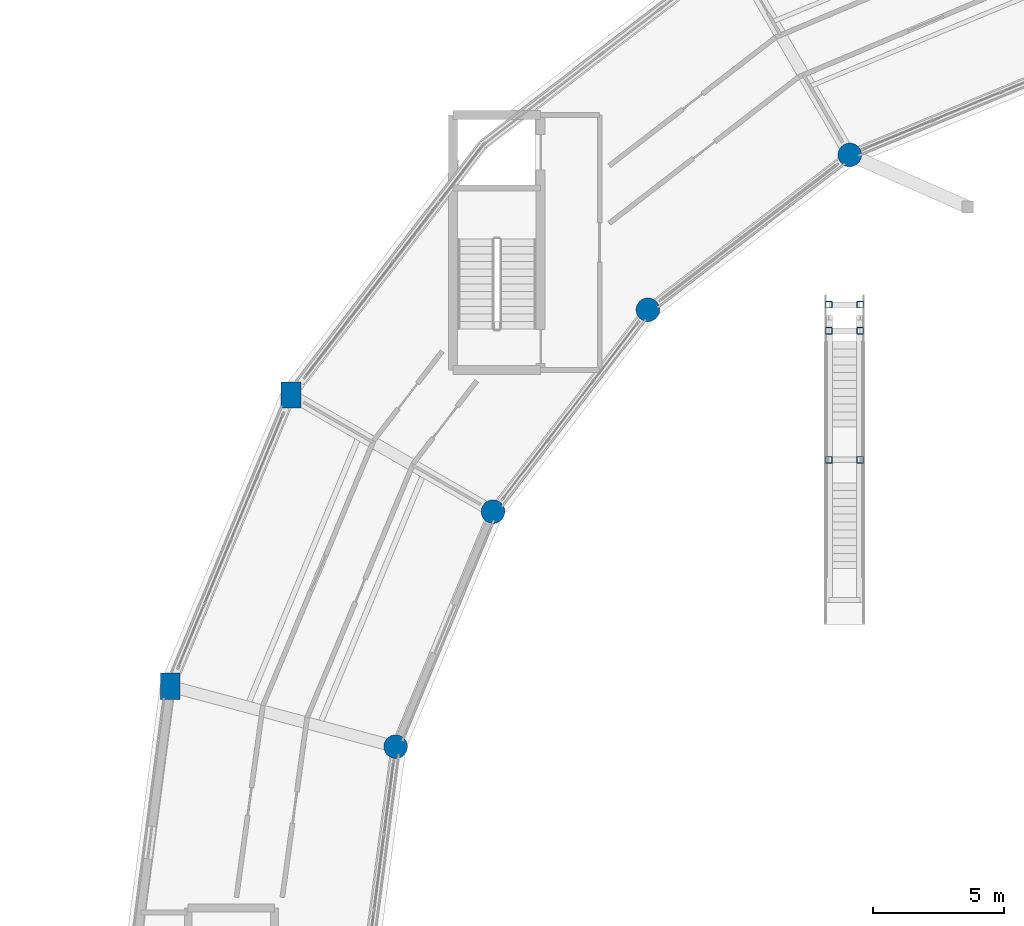
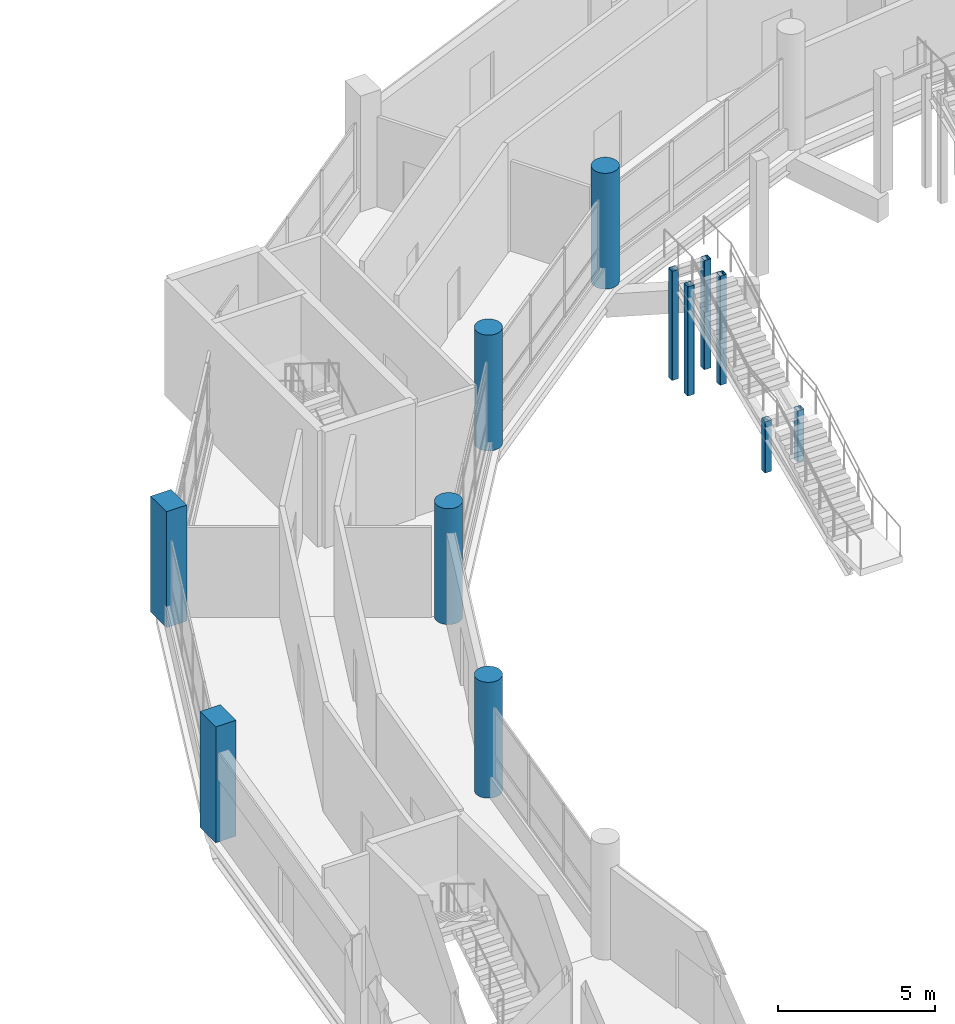
# One storey, part 8 of 129: 12 columns.
"""IFC4 building model written with IfcOpenShell, lengths in metres."""

import ifcopenshell
import ifcopenshell.guid

model = None  # the IFC model being written
_history = None  # IfcOwnerHistory: only IFC2X3 demands one
_inside = {}  # id of a spatial element -> (the spatial element, [elements in it])
_under = {}  # id of a project, library or spatial element -> (it, [spatial elements below it])
_declared = {}  # id of a project -> (the project, [libraries it declares])
_typed = {}  # id of a type object -> (the type object, [elements of that type])
_made_of = {}  # id of a material, layer set ... -> (it, [elements and type objects made of it])


def new_model(schema):
    """Start an empty IFC model of exactly this schema.

    Asked for "IFC4X3", IfcOpenShell would pick the latest addendum, in which some entities
    have other attributes; the version numbers below select the first issue.
    IFC2X3 requires an IfcOwnerHistory on every rooted entity: one is made here for all.
    """
    global model, _history
    if schema == "IFC4X3":
        model = ifcopenshell.file(schema_version=(4, 3, 0, 0))
    else:
        model = ifcopenshell.file(schema=schema)
    _inside.clear()
    _under.clear()
    _declared.clear()
    _typed.clear()
    _made_of.clear()
    _history = None
    if model.schema == "IFC2X3":
        org = make("IfcOrganization", Name="unknown")
        user = make(
            "IfcPersonAndOrganization",
            ThePerson=make("IfcPerson", FamilyName="unknown"),
            TheOrganization=org,
        )
        app = make(
            "IfcApplication",
            ApplicationDeveloper=org,
            Version="unknown",
            ApplicationFullName="unknown",
            ApplicationIdentifier="unknown",
        )
        _history = make(
            "IfcOwnerHistory",
            OwningUser=user,
            OwningApplication=app,
            ChangeAction="ADDED",
            CreationDate=0,
        )
    return model


def make(cls, **values):
    """One entity of the class cls with the attributes given. An attribute that is None is left unset."""
    return model.create_entity(
        cls, **{name: value for name, value in values.items() if value is not None}
    )


def rooted(cls, **values):
    """An entity with a GlobalId (a new one), such as an element, a storey or a relation."""
    return make(cls, GlobalId=ifcopenshell.guid.new(), OwnerHistory=_history, **values)


def si_unit(unit_type, name, prefix=None):
    """IfcSIUnit, for example si_unit("LENGTHUNIT", "METRE", prefix="MILLI")."""
    return make("IfcSIUnit", UnitType=unit_type, Prefix=prefix, Name=name)


def assignment(units):
    """IfcUnitAssignment: the units of a project."""
    return None if units is None else make("IfcUnitAssignment", Units=units)


def point(xyz):
    """IfcCartesianPoint."""
    return None if xyz is None else make("IfcCartesianPoint", Coordinates=xyz)


def direction(xyz):
    """IfcDirection."""
    return None if xyz is None else make("IfcDirection", DirectionRatios=xyz)


def frame(location, z_axis=None, x_axis=None):
    """IfcAxis2Placement3D, a coordinate frame: its origin and axes. An axis left out is left unset."""
    return make(
        "IfcAxis2Placement3D",
        Location=point(location),
        Axis=direction(z_axis),
        RefDirection=direction(x_axis),
    )


def frame_2d(location, x_axis=None):
    """IfcAxis2Placement2D, a coordinate frame in the plane: its origin and x axis."""
    return make(
        "IfcAxis2Placement2D", Location=point(location), RefDirection=direction(x_axis)
    )


def origin():
    """The frame at (0, 0, 0) with its axes left unset."""
    return frame((0.0, 0.0, 0.0))


def origin_2d():
    """The frame at (0, 0) in the plane with its x axis left unset."""
    return frame_2d((0.0, 0.0))


def place(relative_to, where):
    """IfcLocalPlacement: puts the frame where relative to a parent placement (None: the world)."""
    return make(
        "IfcLocalPlacement", PlacementRelTo=relative_to, RelativePlacement=where
    )


def context(
    kind, dimensions, precision=None, world=None, true_north=None, identifier=None
):
    """IfcGeometricRepresentationContext, for example the 3D "Model" context."""
    return make(
        "IfcGeometricRepresentationContext",
        ContextIdentifier=identifier,
        ContextType=kind,
        CoordinateSpaceDimension=dimensions,
        Precision=precision,
        WorldCoordinateSystem=world,
        TrueNorth=true_north,
    )


def subcontext(parent, identifier, kind, view, scale=None):
    """IfcGeometricRepresentationSubContext, for example "Body" below "Model"."""
    return make(
        "IfcGeometricRepresentationSubContext",
        ContextIdentifier=identifier,
        ContextType=kind,
        ParentContext=parent,
        TargetScale=scale,
        TargetView=view,
    )


def project(units=None, contexts=None):
    """IfcProject with its units and contexts."""
    return rooted(
        "IfcProject",
        Name="project",
        RepresentationContexts=contexts,
        UnitsInContext=assignment(units),
    )


def spatial(cls, under=None, at=None, **own):
    """A site, building, storey or space (cls), placed at a placement, below another one or the project."""
    s = rooted(cls, ObjectPlacement=at, **own)
    if under is not None:
        _under.setdefault(under.id(), (under, []))[1].append(s)
    return s


def profile(cls, at=None, kind="AREA", **sizes):
    """A parametric profile (cls). Its sizes go by their IFC names, for example OverallWidth=200.0."""
    return make(cls, ProfileType=kind, Position=at, **sizes)


def rectangle(**sizes):
    """IfcRectangleProfileDef."""
    return profile("IfcRectangleProfileDef", **sizes)


def hollow_rectangle(**sizes):
    """IfcRectangleHollowProfileDef."""
    return profile("IfcRectangleHollowProfileDef", **sizes)


def circle(**sizes):
    """IfcCircleProfileDef."""
    return profile("IfcCircleProfileDef", **sizes)


def extrude(swept, where, along, depth):
    """IfcExtrudedAreaSolid: the profile swept, set in the frame where, extruded along a direction by depth."""
    return make(
        "IfcExtrudedAreaSolid",
        SweptArea=swept,
        Position=where,
        ExtrudedDirection=direction(along),
        Depth=depth,
    )


def shape(context_of_items, identifier, shape_type, items):
    """IfcShapeRepresentation: the items that make up one representation, for example the "Body"."""
    return make(
        "IfcShapeRepresentation",
        ContextOfItems=context_of_items,
        RepresentationIdentifier=identifier,
        RepresentationType=shape_type,
        Items=items,
    )


def material(Name=None, Category=None):
    """IfcMaterial."""
    return make("IfcMaterial", Name=Name, Category=Category)


def material_profile(
    of_material, cross_section, Name=None, Category=None, Priority=None
):
    """IfcMaterialProfile: a cross section and its material."""
    return make(
        "IfcMaterialProfile",
        Name=Name,
        Material=of_material,
        Profile=cross_section,
        Priority=Priority,
        Category=Category,
    )


def profile_set(profiles, Name=None, composite=None):
    """IfcMaterialProfileSet."""
    return make(
        "IfcMaterialProfileSet",
        Name=Name,
        MaterialProfiles=profiles,
        CompositeProfile=composite,
    )


def made_of(thing, what):
    """Note that an element or type object is made of a material, layer set ...; save() writes the relation."""
    if what is not None:
        _made_of.setdefault(what.id(), (what, []))[1].append(thing)
    return thing


def type_object(cls, material=None, **own):
    """A type object (cls), such as IfcWallType, which elements share."""
    return made_of(rooted(cls, **own), material)


def element(
    cls,
    number,
    at=None,
    inside=None,
    cuts=None,
    type_object=None,
    material=None,
    context=None,
    identifier="Body",
    shape_type=None,
    held_by="IfcProductDefinitionShape",
    body=None,
    shapes=None,
    **own,
):
    """One element of the class cls, such as IfcWall. Its Tag is "e" and its number.

    at: its placement. inside: the storey or other place that contains it. cuts: it is an
    opening in that element (IfcRelVoidsElement). A single representation is given by context,
    identifier, shape_type and body (its items); several are given by shapes. held_by: the class
    of the entity that holds the representations. save() writes the other relations.
    """
    e = rooted(cls, Tag="e%d" % number, ObjectPlacement=at, **own)
    if body is not None:
        shapes = [shape(context, identifier, shape_type, body)]
    if shapes is not None:
        e.Representation = make(held_by, Representations=shapes)
    if inside is not None:
        _inside.setdefault(inside.id(), (inside, []))[1].append(e)
    if cuts is not None:
        rooted(
            "IfcRelVoidsElement", RelatingBuildingElement=cuts, RelatedOpeningElement=e
        )
    if type_object is not None:
        _typed.setdefault(type_object.id(), (type_object, []))[1].append(e)
    return made_of(e, material)


def aggregate(whole, parts):
    """IfcRelAggregates: a whole, such as a stair, and the parts it consists of."""
    return rooted("IfcRelAggregates", RelatingObject=whole, RelatedObjects=parts)


def save(model, path):
    """Write the relations noted so far, then the file.

    IfcRelAggregates (storeys below a building ...), IfcRelContainedInSpatialStructure (elements
    in a storey), IfcRelDefinesByType, IfcRelAssociatesMaterial and IfcRelDeclares: one each for
    every whole, place, type object, material and project.
    """
    for whole, parts in _under.values():
        aggregate(whole, parts)
    for where, things in _inside.values():
        rooted(
            "IfcRelContainedInSpatialStructure",
            RelatedElements=things,
            RelatingStructure=where,
        )
    for kind, things in _typed.values():
        rooted("IfcRelDefinesByType", RelatedObjects=things, RelatingType=kind)
    for what, things in _made_of.values():
        rooted("IfcRelAssociatesMaterial", RelatedObjects=things, RelatingMaterial=what)
    for by, libraries in _declared.values():
        rooted("IfcRelDeclares", RelatingContext=by, RelatedDefinitions=libraries)
    model.write(path)


model = new_model("IFC4")

# Units and contexts
model_context = context("Model", 3, precision=1e-05, world=origin(), true_north=direction((0.0, 1.0)))
body_context = subcontext(model_context, "Body", "Model", "MODEL_VIEW")
ifc_project = project(units=[si_unit("LENGTHUNIT", "METRE"), si_unit("AREAUNIT", "SQUARE_METRE"), si_unit("VOLUMEUNIT", "CUBIC_METRE"), si_unit("PLANEANGLEUNIT", "RADIAN"), si_unit("MASSUNIT", "GRAM", prefix="KILO")], contexts=[model_context])

# Site, building, storey
site_placement = place(None, origin())
site = spatial("IfcSite", under=ifc_project, at=site_placement, CompositionType="ELEMENT")
building_placement = place(site_placement, origin())
building = spatial("IfcBuilding", under=site, at=building_placement, Name="Vespera Passage Community Centre", CompositionType="ELEMENT")
storey_placement = place(building_placement, origin())
storey = spatial("IfcBuildingStorey", under=building, at=storey_placement, Name="L00", CompositionType="ELEMENT", Elevation=0.0)

# Columns
ifc_material_1 = material(Name="Steel ASTM A500 Grade C", Category="steel")
ifc_material_profile_1 = material_profile(ifc_material_1, hollow_rectangle(XDim=0.25390625, YDim=0.25390625, WallThickness=0.01171875, InnerFilletRadius=0.01171875, OuterFilletRadius=0.023681640625, at=origin_2d()), Name="HSS254X254X12.7")
ifc_profile_set_1 = profile_set([ifc_material_profile_1], Name="Steel ASTM A500 Grade C")
column_type_1 = type_object("IfcColumnType", Name="COL-HSS254E", PredefinedType="COLUMN", material=ifc_profile_set_1)
for number, where, z_axis, x_axis, name in (
    (1, (59.794921875, 86.074951171875, 0.0), (0.0, 0.0, 1.0), (1.0, 0.0, 0.0), "ST-CRT-04 Pier M1"),
    (2, (58.60498046875, 86.074951171875, 0.0), (0.0, 0.0, 1.0), (1.0, 0.0, 0.0), "ST-CRT-04 Pier M2"),
):
    element("IfcColumn", number, at=place(storey_placement, frame(where, z_axis=z_axis, x_axis=x_axis)), inside=storey, type_object=column_type_1, Name=name, PredefinedType="COLUMN", context=body_context, shape_type="SweptSolid", body=[
        extrude(hollow_rectangle(XDim=0.25390625, YDim=0.25390625, WallThickness=0.01171875, InnerFilletRadius=0.01171875, OuterFilletRadius=0.023681640625, at=origin_2d()), origin(), (0.0, 0.0, 1.0), 1.989990234375),
    ])
for number, where, z_axis, x_axis, name in (
    (3, (59.794921875, 91.0, 0.0), (0.0, 0.0, 1.0), (1.0, 0.0, 0.0), "ST-CRT-04 Pier T1"),
    (4, (58.60498046875, 91.0, 0.0), (0.0, 0.0, 1.0), (1.0, 0.0, 0.0), "ST-CRT-04 Pier T2"),
    (5, (59.794921875, 92.0, 0.0), (0.0, 0.0, 1.0), (1.0, 0.0, 0.0), "ST-CRT-04 Pier TF1"),
    (6, (58.60498046875, 92.0, 0.0), (0.0, 0.0, 1.0), (1.0, 0.0, 0.0), "ST-CRT-04 Pier TF2"),
):
    element("IfcColumn", number, at=place(storey_placement, frame(where, z_axis=z_axis, x_axis=x_axis)), inside=storey, type_object=column_type_1, Name=name, PredefinedType="COLUMN", context=body_context, shape_type="SweptSolid", body=[
        extrude(hollow_rectangle(XDim=0.25390625, YDim=0.25390625, WallThickness=0.01171875, InnerFilletRadius=0.01171875, OuterFilletRadius=0.023681640625, at=origin_2d()), origin(), (0.0, 0.0, 1.0), 4.239990234375),
    ])
ifc_material_2 = material(Name="Concrete f'c 45 MPa", Category="concrete")
ifc_material_profile_2 = material_profile(ifc_material_2, rectangle(XDim=0.75, YDim=1.0, at=origin_2d()), Name="RC1000X750")
ifc_profile_set_2 = profile_set([ifc_material_profile_2], Name="Concrete f'c 45 MPa")
column_type_2 = type_object("IfcColumnType", Name="COL-RC1000X750E", PredefinedType="COLUMN", material=ifc_profile_set_2)
for number, where, z_axis, x_axis, name in (
    (7, (38.076171875, 88.550048828125, 0.0), (0.0, 0.0, 1.0), (1.0, 0.0, 0.0), "L00 Column V4-O10"),
    (8, (33.470703125, 77.431640625, 0.0), (0.0, 0.0, 1.0), (1.0, 0.0, 0.0), "L00 Column V4-O11"),
):
    element("IfcColumn", number, at=place(storey_placement, frame(where, z_axis=z_axis, x_axis=x_axis)), inside=storey, type_object=column_type_2, Name=name, PredefinedType="COLUMN", context=body_context, shape_type="SweptSolid", body=[
        extrude(rectangle(XDim=0.75, YDim=1.0, at=origin_2d()), origin(), (0.0, 0.0, 1.0), 4.5),
    ])
ifc_material_3 = material(Name="Concrete f'c 45 MPa", Category="concrete")
ifc_material_profile_3 = material_profile(ifc_material_3, circle(Radius=0.449951171875, at=origin_2d()), Name="RC900DIA")
ifc_profile_set_3 = profile_set([ifc_material_profile_3], Name="Concrete f'c 45 MPa")
column_type_3 = type_object("IfcColumnType", Name="COL-RC900DIAE", PredefinedType="COLUMN", material=ifc_profile_set_3)
for number, where, z_axis, x_axis, name in (
    (9, (59.39990234375, 97.716064453125, 0.0), (0.0, 0.0, 1.0), (1.0, 0.0, 0.0), "L00 Column V4-I08"),
    (10, (51.695556640625, 91.804443359375, 0.0), (0.0, 0.0, 1.0), (1.0, 0.0, 0.0), "L00 Column V4-I09"),
    (11, (45.783935546875, 84.10009765625, 0.0), (0.0, 0.0, 1.0), (1.0, 0.0, 0.0), "L00 Column V4-I10"),
    (12, (42.067626953125, 75.128173828125, 0.0), (0.0, 0.0, 1.0), (1.0, 0.0, 0.0), "L00 Column V4-I11"),
):
    element("IfcColumn", number, at=place(storey_placement, frame(where, z_axis=z_axis, x_axis=x_axis)), inside=storey, type_object=column_type_3, Name=name, PredefinedType="COLUMN", context=body_context, shape_type="SweptSolid", body=[
        extrude(circle(Radius=0.449951171875, at=origin_2d()), origin(), (0.0, 0.0, 1.0), 4.5),
    ])

save(model, "model.ifc")
